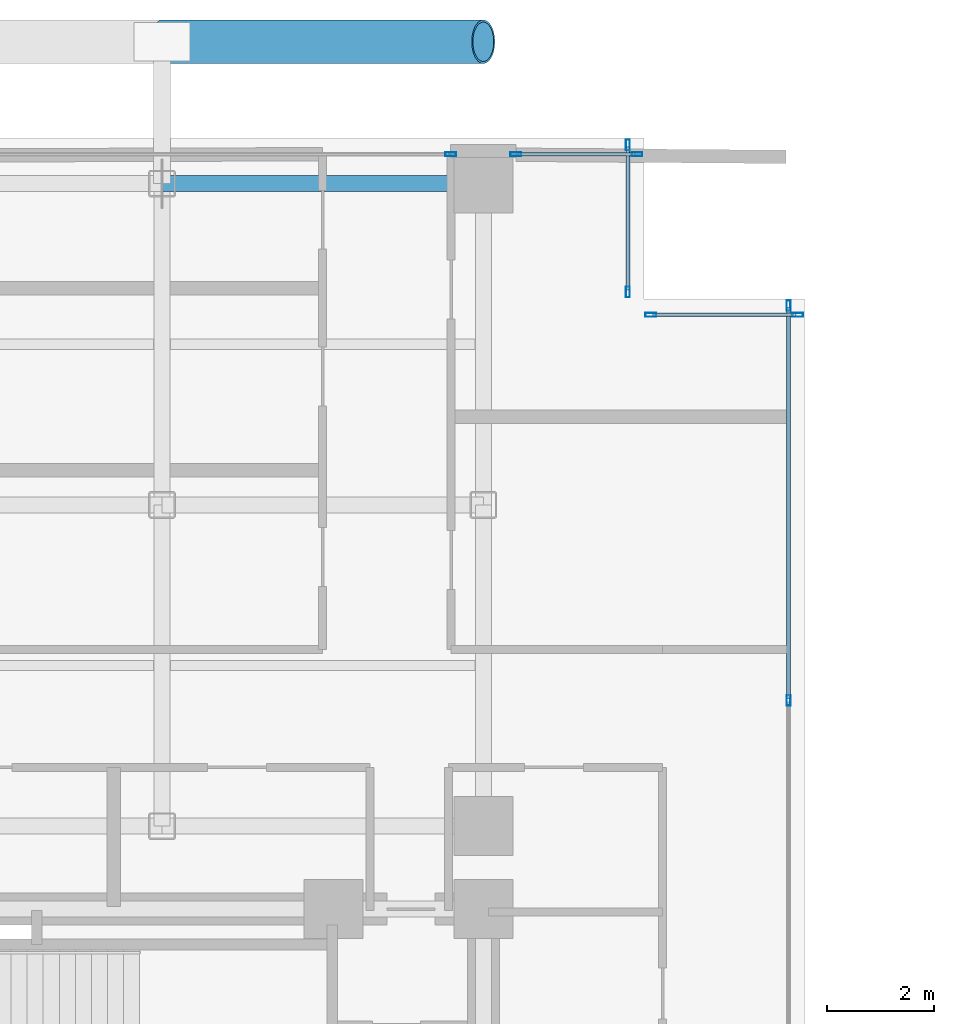
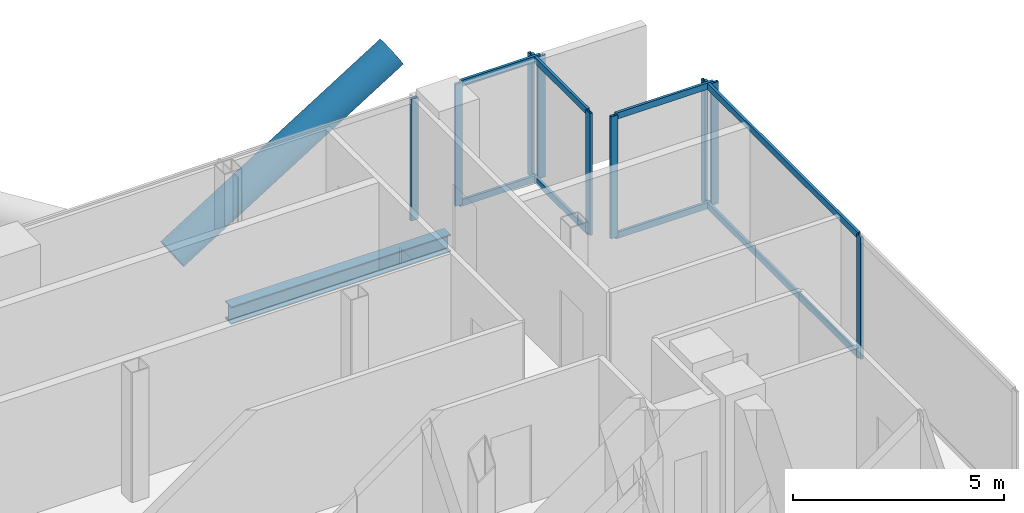
# One storey, part 16 of 24: 18 members, 1 beam, 5 elements without a shape of their own.
"""IFC4 building model written with IfcOpenShell, lengths in metres."""

from ifc_helpers import new_model, si_unit, direction, frame, origin, origin_2d, place, context, subcontext, project, spatial, hollow_rectangle, hollow_circle, i_section, extrude, material, layer, layer_set, material_profile, profile_set, type_object, element, aggregate, save


model = new_model("IFC4")

# Units and contexts
model_context = context("Model", 3, precision=1e-05, world=origin(), true_north=direction((0.0, 1.0)))
body_context = subcontext(model_context, "Body", "Model", "MODEL_VIEW")
ifc_project = project(units=[si_unit("LENGTHUNIT", "METRE"), si_unit("AREAUNIT", "SQUARE_METRE"), si_unit("VOLUMEUNIT", "CUBIC_METRE"), si_unit("PLANEANGLEUNIT", "RADIAN"), si_unit("MASSUNIT", "GRAM", prefix="KILO"), si_unit("THERMODYNAMICTEMPERATUREUNIT", "KELVIN"), si_unit("POWERUNIT", "WATT")], contexts=[model_context])

# Site, building, storey
site_placement = place(None, origin())
site = spatial("IfcSite", under=ifc_project, at=site_placement, CompositionType="ELEMENT")
building_placement = place(site_placement, origin())
building = spatial("IfcBuilding", under=site, at=building_placement, Name="Svarakhadi Broadcast Tower", CompositionType="ELEMENT")
storey_placement = place(building_placement, frame((0.0, 0.0, 130.64990234375)))
storey = spatial("IfcBuildingStorey", under=building, at=storey_placement, Name="L31", CompositionType="ELEMENT", Elevation=130.64990234375)

# Curtain wall, member
ifc_material_1 = material(Name="Anodised Bronze Aluminium AA 6063-T6", Category="aluminium")
ifc_layer = layer(ifc_material_1, 0.199951171875)
ifc_layer_set = layer_set([ifc_layer], Name="Anodised Bronze Aluminium AA 6063-T6")
curtain_wall_type = type_object("IfcCurtainWallType", Name="CW_Sys_03", PredefinedType="NOTDEFINED", material=ifc_layer_set)
curtain_wall_1_placement = place(storey_placement, origin())
curtain_wall_1 = element("IfcCurtainWall", 1, at=curtain_wall_1_placement, inside=storey, type_object=curtain_wall_type, Name="L31 Unitised Facade Curtain Wall 06 Bay 2", PredefinedType="NOTDEFINED")
ifc_material_profile_1 = material_profile(ifc_material_1, hollow_rectangle(XDim=0.074951171875, YDim=0.199951171875, WallThickness=0.005615234375, at=origin_2d()), Name="ALU MULLION 200x75x6")
ifc_profile_set_1 = profile_set([ifc_material_profile_1], Name="Anodised Bronze Aluminium AA 6063-T6")
member_type_1 = type_object("IfcMemberType", Name="CW_Sys_03_Mul", PredefinedType="MULLION", material=ifc_profile_set_1)
member_1_placement = place(storey_placement, frame((17.392578125, 41.699951171875, 0.0), z_axis=(0.0, 0.0, 1.0), x_axis=(0.0, 1.0, 0.0)))
member_1 = element("IfcMember", 2, at=member_1_placement, type_object=member_type_1, Name="CW-03 mullion 2", PredefinedType="MULLION", context=body_context, shape_type="SweptSolid", body=[
    extrude(hollow_rectangle(XDim=0.074951171875, YDim=0.199951171875, WallThickness=0.005615234375, at=origin_2d()), origin(), (0.0, 0.0, 1.0), 3.525146484375),
])
aggregate(curtain_wall_1, [member_1])

# Curtain wall, members
curtain_wall_2_placement = place(storey_placement, origin())
curtain_wall_2 = element("IfcCurtainWall", 3, at=curtain_wall_2_placement, inside=storey, type_object=curtain_wall_type, Name="L31 Unitised Facade Curtain Wall 06 Bay 3", PredefinedType="NOTDEFINED")
member_2_placement = place(storey_placement, frame((18.607421875, 41.699951171875, 0.0), z_axis=(0.0, 0.0, 1.0), x_axis=(0.0, 1.0, 0.0)))
member_2 = element("IfcMember", 4, at=member_2_placement, type_object=member_type_1, Name="CW-03 mullion 1", PredefinedType="MULLION", context=body_context, shape_type="SweptSolid", body=[
    extrude(hollow_rectangle(XDim=0.074951171875, YDim=0.199951171875, WallThickness=0.005615234375, at=origin_2d()), origin(), (0.0, 0.0, 1.0), 3.525146484375),
])
member_3_placement = place(storey_placement, frame((20.87255859375, 41.699951171875, 0.0), z_axis=(0.0, 0.0, 1.0), x_axis=(0.0, 1.0, 0.0)))
member_3 = element("IfcMember", 5, at=member_3_placement, type_object=member_type_1, Name="CW-03 mullion 2", PredefinedType="MULLION", context=body_context, shape_type="SweptSolid", body=[
    extrude(hollow_rectangle(XDim=0.074951171875, YDim=0.199951171875, WallThickness=0.005615234375, at=origin_2d()), origin(), (0.0, 0.0, 1.0), 3.525146484375),
])

curtain_wall_3_placement = place(storey_placement, origin())
curtain_wall_3 = element("IfcCurtainWall", 6, at=curtain_wall_3_placement, inside=storey, type_object=curtain_wall_type, Name="L31 Unitised Facade Curtain Wall 07", PredefinedType="NOTDEFINED")
member_4_placement = place(storey_placement, frame((20.699951171875, 41.87255859375, 0.0), z_axis=(0.0, 0.0, 1.0), x_axis=(1.0, 0.0, 0.0)))
member_4 = element("IfcMember", 7, at=member_4_placement, type_object=member_type_1, Name="CW-03 mullion 1", PredefinedType="MULLION", context=body_context, shape_type="SweptSolid", body=[
    extrude(hollow_rectangle(XDim=0.074951171875, YDim=0.199951171875, WallThickness=0.005615234375, at=origin_2d()), origin(), (0.0, 0.0, 1.0), 3.525146484375),
])
member_5_placement = place(storey_placement, frame((20.699951171875, 39.12744140625, 0.0), z_axis=(0.0, 0.0, 1.0), x_axis=(1.0, 0.0, 0.0)))
member_5 = element("IfcMember", 8, at=member_5_placement, type_object=member_type_1, Name="CW-03 mullion 2", PredefinedType="MULLION", context=body_context, shape_type="SweptSolid", body=[
    extrude(hollow_rectangle(XDim=0.074951171875, YDim=0.199951171875, WallThickness=0.005615234375, at=origin_2d()), origin(), (0.0, 0.0, 1.0), 3.525146484375),
])

curtain_wall_4_placement = place(storey_placement, origin())
curtain_wall_4 = element("IfcCurtainWall", 9, at=curtain_wall_4_placement, inside=storey, type_object=curtain_wall_type, Name="L31 Unitised Facade Curtain Wall 08", PredefinedType="NOTDEFINED")
member_6_placement = place(storey_placement, frame((21.12744140625, 38.699951171875, 0.0), z_axis=(0.0, 0.0, 1.0), x_axis=(0.0, 1.0, 0.0)))
member_6 = element("IfcMember", 10, at=member_6_placement, type_object=member_type_1, Name="CW-03 mullion 1", PredefinedType="MULLION", context=body_context, shape_type="SweptSolid", body=[
    extrude(hollow_rectangle(XDim=0.074951171875, YDim=0.199951171875, WallThickness=0.005615234375, at=origin_2d()), origin(), (0.0, 0.0, 1.0), 3.525146484375),
])
member_7_placement = place(storey_placement, frame((23.87255859375, 38.699951171875, 0.0), z_axis=(0.0, 0.0, 1.0), x_axis=(0.0, 1.0, 0.0)))
member_7 = element("IfcMember", 11, at=member_7_placement, type_object=member_type_1, Name="CW-03 mullion 2", PredefinedType="MULLION", context=body_context, shape_type="SweptSolid", body=[
    extrude(hollow_rectangle(XDim=0.074951171875, YDim=0.199951171875, WallThickness=0.005615234375, at=origin_2d()), origin(), (0.0, 0.0, 1.0), 3.525146484375),
])

curtain_wall_5_placement = place(storey_placement, origin())
curtain_wall_5 = element("IfcCurtainWall", 12, at=curtain_wall_5_placement, inside=storey, type_object=curtain_wall_type, Name="L31 Unitised Facade Curtain Wall 09", PredefinedType="NOTDEFINED")
member_8_placement = place(storey_placement, frame((23.699951171875, 38.87255859375, 0.0), z_axis=(0.0, 0.0, 1.0), x_axis=(1.0, 0.0, 0.0)))
member_8 = element("IfcMember", 13, at=member_8_placement, type_object=member_type_1, Name="CW-03 mullion 1", PredefinedType="MULLION", context=body_context, shape_type="SweptSolid", body=[
    extrude(hollow_rectangle(XDim=0.074951171875, YDim=0.199951171875, WallThickness=0.005615234375, at=origin_2d()), origin(), (0.0, 0.0, 1.0), 3.525146484375),
])
member_9_placement = place(storey_placement, frame((23.699951171875, 31.5, 0.0), z_axis=(0.0, 0.0, 1.0), x_axis=(1.0, 0.0, 0.0)))
member_9 = element("IfcMember", 14, at=member_9_placement, type_object=member_type_1, Name="CW-03 mullion 2", PredefinedType="MULLION", context=body_context, shape_type="SweptSolid", body=[
    extrude(hollow_rectangle(XDim=0.074951171875, YDim=0.199951171875, WallThickness=0.005615234375, at=origin_2d()), origin(), (0.0, 0.0, 1.0), 3.525146484375),
])

# Member
ifc_material_profile_2 = material_profile(ifc_material_1, hollow_rectangle(XDim=0.070068359375, YDim=0.18505859375, WallThickness=0.0048828125, at=origin_2d()), Name="ALU TRANSOM 185x70x5")
ifc_profile_set_2 = profile_set([ifc_material_profile_2], Name="Anodised Bronze Aluminium AA 6063-T6")
member_type_2 = type_object("IfcMemberType", Name="CW_Sys_03_Trn", PredefinedType="USERDEFINED", material=ifc_profile_set_2)
member_10_placement = place(storey_placement, frame((18.64501953125, 41.699951171875, 0.03515625), z_axis=(1.0, 0.0, 0.0), x_axis=(0.0, 1.0, 0.0)))
member_10 = element("IfcMember", 15, at=member_10_placement, type_object=member_type_2, Name="CW-03 transom 1.1", ObjectType="TRANSOM", PredefinedType="USERDEFINED", context=body_context, shape_type="SweptSolid", body=[
    extrude(hollow_rectangle(XDim=0.070068359375, YDim=0.18505859375, WallThickness=0.0048828125, at=origin_2d()), origin(), (0.0, 0.0, 1.0), 2.18994140625),
])

member_11_placement = place(storey_placement, frame((18.64501953125, 41.699951171875, 3.489990234375), z_axis=(1.0, 0.0, 0.0), x_axis=(0.0, 1.0, 0.0)))
member_11 = element("IfcMember", 16, at=member_11_placement, type_object=member_type_2, Name="CW-03 transom 1.2", ObjectType="TRANSOM", PredefinedType="USERDEFINED", context=body_context, shape_type="SweptSolid", body=[
    extrude(hollow_rectangle(XDim=0.070068359375, YDim=0.18505859375, WallThickness=0.0048828125, at=origin_2d()), origin(), (0.0, 0.0, 1.0), 2.18994140625),
])

aggregate(curtain_wall_2, [member_2, member_3, member_10, member_11])

member_12_placement = place(storey_placement, frame((20.699951171875, 41.8349609375, 0.03515625), z_axis=(0.0, -1.0, 0.0), x_axis=(1.0, 0.0, 0.0)))
member_12 = element("IfcMember", 17, at=member_12_placement, type_object=member_type_2, Name="CW-03 transom 1.1", ObjectType="TRANSOM", PredefinedType="USERDEFINED", context=body_context, shape_type="SweptSolid", body=[
    extrude(hollow_rectangle(XDim=0.070068359375, YDim=0.18505859375, WallThickness=0.0048828125, at=origin_2d()), origin(), (0.0, 0.0, 1.0), 2.669921875),
])

member_13_placement = place(storey_placement, frame((20.699951171875, 41.8349609375, 3.489990234375), z_axis=(0.0, -1.0, 0.0), x_axis=(1.0, 0.0, 0.0)))
member_13 = element("IfcMember", 18, at=member_13_placement, type_object=member_type_2, Name="CW-03 transom 1.2", ObjectType="TRANSOM", PredefinedType="USERDEFINED", context=body_context, shape_type="SweptSolid", body=[
    extrude(hollow_rectangle(XDim=0.070068359375, YDim=0.18505859375, WallThickness=0.0048828125, at=origin_2d()), origin(), (0.0, 0.0, 1.0), 2.669921875),
])

aggregate(curtain_wall_3, [member_4, member_5, member_12, member_13])

member_14_placement = place(storey_placement, frame((21.1650390625, 38.699951171875, 0.03515625), z_axis=(1.0, 0.0, 0.0), x_axis=(0.0, 1.0, 0.0)))
member_14 = element("IfcMember", 19, at=member_14_placement, type_object=member_type_2, Name="CW-03 transom 1.1", ObjectType="TRANSOM", PredefinedType="USERDEFINED", context=body_context, shape_type="SweptSolid", body=[
    extrude(hollow_rectangle(XDim=0.070068359375, YDim=0.18505859375, WallThickness=0.0048828125, at=origin_2d()), origin(), (0.0, 0.0, 1.0), 2.669921875),
])

member_15_placement = place(storey_placement, frame((21.1650390625, 38.699951171875, 3.489990234375), z_axis=(1.0, 0.0, 0.0), x_axis=(0.0, 1.0, 0.0)))
member_15 = element("IfcMember", 20, at=member_15_placement, type_object=member_type_2, Name="CW-03 transom 1.2", ObjectType="TRANSOM", PredefinedType="USERDEFINED", context=body_context, shape_type="SweptSolid", body=[
    extrude(hollow_rectangle(XDim=0.070068359375, YDim=0.18505859375, WallThickness=0.0048828125, at=origin_2d()), origin(), (0.0, 0.0, 1.0), 2.669921875),
])

aggregate(curtain_wall_4, [member_6, member_7, member_14, member_15])

member_16_placement = place(storey_placement, frame((23.699951171875, 38.8349609375, 0.03515625), z_axis=(0.0, -1.0, 0.0), x_axis=(1.0, 0.0, 0.0)))
member_16 = element("IfcMember", 21, at=member_16_placement, type_object=member_type_2, Name="CW-03 transom 1.1", ObjectType="TRANSOM", PredefinedType="USERDEFINED", context=body_context, shape_type="SweptSolid", body=[
    extrude(hollow_rectangle(XDim=0.070068359375, YDim=0.18505859375, WallThickness=0.0048828125, at=origin_2d()), origin(), (0.0, 0.0, 1.0), 7.29736328125),
])

member_17_placement = place(storey_placement, frame((23.699951171875, 38.8349609375, 3.489990234375), z_axis=(0.0, -1.0, 0.0), x_axis=(1.0, 0.0, 0.0)))
member_17 = element("IfcMember", 22, at=member_17_placement, type_object=member_type_2, Name="CW-03 transom 1.2", ObjectType="TRANSOM", PredefinedType="USERDEFINED", context=body_context, shape_type="SweptSolid", body=[
    extrude(hollow_rectangle(XDim=0.070068359375, YDim=0.18505859375, WallThickness=0.0048828125, at=origin_2d()), origin(), (0.0, 0.0, 1.0), 7.29736328125),
])

aggregate(curtain_wall_5, [member_8, member_9, member_16, member_17])

ifc_material_2 = material(Name="Steel S460ML (IS 2062 E450BR)", Category="steel")
ifc_material_profile_3 = material_profile(ifc_material_2, hollow_circle(Radius=0.406494140625, WallThickness=0.0400390625, at=origin_2d()), Name="CHS 813x40")
ifc_profile_set_3 = profile_set([ifc_material_profile_3], Name="Steel S460ML (IS 2062 E450BR)")
member_type_3 = type_object("IfcMemberType", Name="Exo_Brace_CHS813", PredefinedType="BRACE", material=ifc_profile_set_3)
member_18_placement = place(storey_placement, frame((12.0, 43.800048828125, -0.386962890625), z_axis=(0.847998304005, 0.0, 0.529998940003), x_axis=(0.0, 1.0, 0.0)))
element("IfcMember", 23, at=member_18_placement, inside=storey, type_object=member_type_3, Name="L31 Exposed Bronze Exoskeleton Diagonal N09", PredefinedType="BRACE", context=body_context, shape_type="SweptSolid", body=[
    extrude(hollow_circle(Radius=0.406494140625, WallThickness=0.0400390625, at=origin_2d()), origin(), (0.0, 0.0, 1.0), 7.075439453125),
])

# Beam
ifc_material_3 = material(Name="Steel S355J2 (IS 2062 E350C)", Category="steel")
ifc_material_profile_4 = material_profile(ifc_material_3, i_section(OverallWidth=0.300048828125, OverallDepth=0.5, WebThickness=0.014404296875, FlangeThickness=0.028076171875, FilletRadius=0.027099609375, at=origin_2d()), Name="WPB 500x300x187")
ifc_profile_set_4 = profile_set([ifc_material_profile_4], Name="Steel S355J2 (IS 2062 E350C)")
beam_type = type_object("IfcBeamType", Name="Girder_WPB500", PredefinedType="USERDEFINED", material=ifc_profile_set_4)
beam_placement = place(storey_placement, frame((12.0, 41.14990234375, -0.474853515625), z_axis=(1.0, 0.0, 0.0), x_axis=(0.0, 1.0, 0.0)))
element("IfcBeam", 24, at=beam_placement, inside=storey, type_object=beam_type, Name="L31 Primary E-W Girder G039", ObjectType="GIRDER", PredefinedType="USERDEFINED", context=body_context, shape_type="SweptSolid", body=[
    extrude(i_section(OverallWidth=0.300048828125, OverallDepth=0.5, WebThickness=0.014404296875, FlangeThickness=0.028076171875, FilletRadius=0.027099609375, at=origin_2d()), origin(), (0.0, 0.0, 1.0), 6.0),
])

save(model, "model.ifc")
